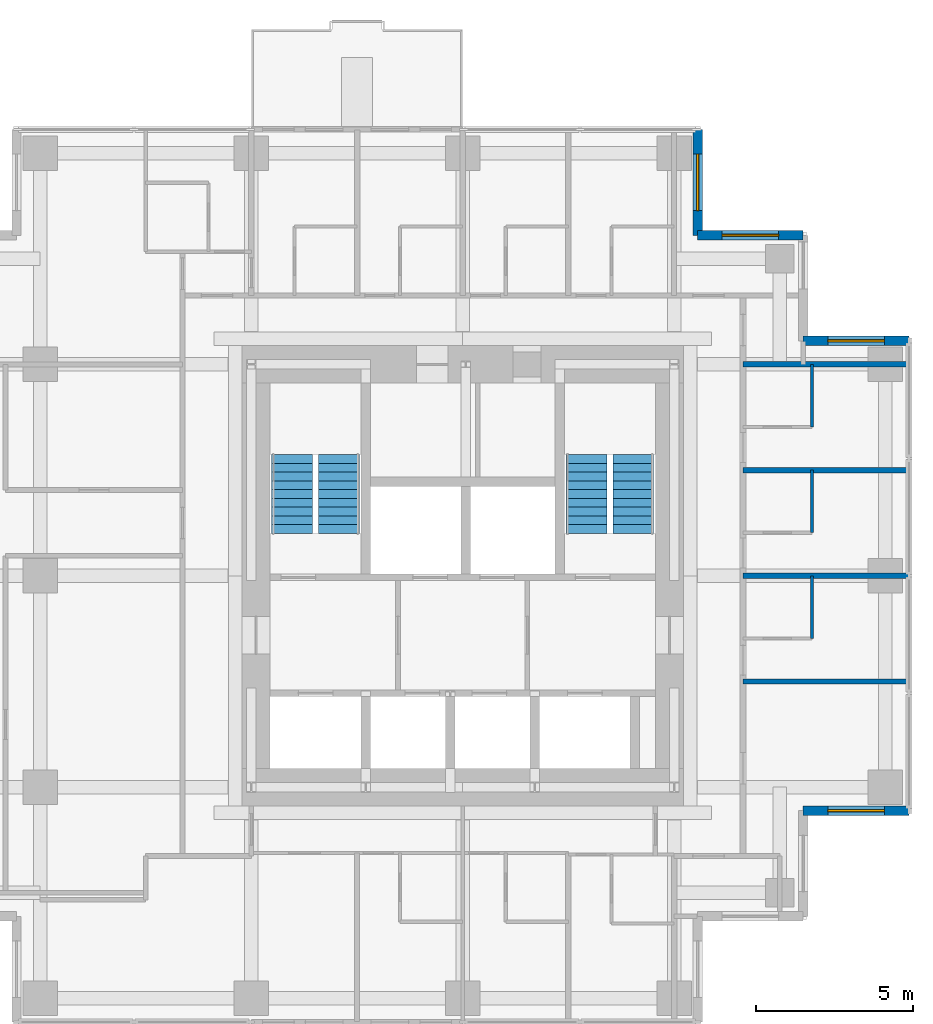
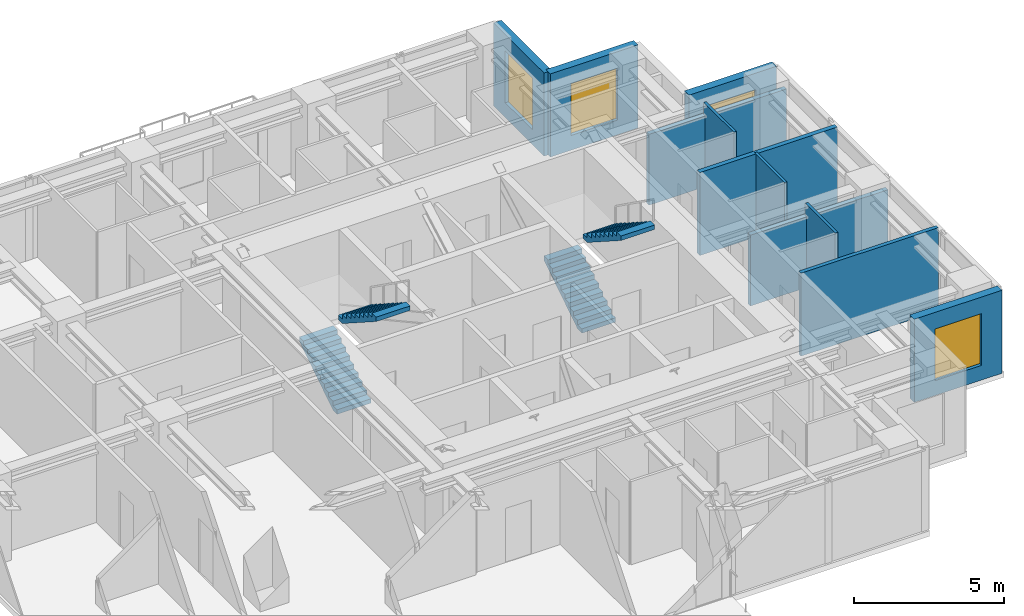
# One storey, part 7 of 8: 11 walls, 4 stair flights, 4 windows, 4 openings, 2 elements without a shape of their own.
"""IFC4 building model written with IfcOpenShell, lengths in metres."""

from ifc_helpers import new_model, si_unit, direction, frame, frame_2d, origin, place, context, subcontext, project, spatial, polyline, rectangle, outline, extrude, material, layer, layer_set, type_object, element, fill, aggregate, save


model = new_model("IFC4")

# Units and contexts
model_context = context("Model", 3, precision=1e-05, world=origin(), true_north=direction((0.0, 1.0)))
body_context = subcontext(model_context, "Body", "Model", "MODEL_VIEW")
ifc_project = project(units=[si_unit("LENGTHUNIT", "METRE"), si_unit("AREAUNIT", "SQUARE_METRE"), si_unit("VOLUMEUNIT", "CUBIC_METRE"), si_unit("PLANEANGLEUNIT", "RADIAN"), si_unit("MASSUNIT", "GRAM", prefix="KILO")], contexts=[model_context])

# Site, building, storey
site_placement = place(None, origin())
site = spatial("IfcSite", under=ifc_project, at=site_placement, CompositionType="ELEMENT")
building_placement = place(site_placement, origin())
building = spatial("IfcBuilding", under=site, at=building_placement, Name="Nyansa Garden Tower", CompositionType="ELEMENT")
storey_placement = place(building_placement, frame((0.0, 0.0, 211.5)))
storey = spatial("IfcBuildingStorey", under=building, at=storey_placement, Name="L57", CompositionType="ELEMENT", Elevation=211.5)

# Walls
ifc_material_1 = material(Name="Dense blockwork, plastered both sides, 55 dB", Category="masonry")
ifc_layer_1 = layer(ifc_material_1, 0.175048828125)
ifc_layer_set_1 = layer_set([ifc_layer_1], Name="Acoustic party wall PW175")
wall_type_1 = type_object("IfcWallType", Name="Acoustic party wall PW175", PredefinedType="PARTITIONING", material=ifc_layer_set_1)
wall_1_placement = place(storey_placement, frame((29.199951171875, 20.25, 0.0), z_axis=(0.0, 0.0, 1.0), x_axis=(1.0, 0.0, 0.0)))
element("IfcWall", 1, at=wall_1_placement, inside=storey, type_object=wall_type_1, Name="Party wall", PredefinedType="PARTITIONING", context=body_context, shape_type="SweptSolid", body=[
    extrude(rectangle(XDim=5.283935546875, YDim=0.175048828125, at=frame_2d((2.64208984375, 0.0))), origin(), (0.0, 0.0, 1.0), 2.876953125),
])
wall_2_placement = place(storey_placement, frame((29.199951171875, 23.625, 0.0), z_axis=(0.0, 0.0, 1.0), x_axis=(1.0, 0.0, 0.0)))
element("IfcWall", 2, at=wall_2_placement, inside=storey, type_object=wall_type_1, Name="Party wall", PredefinedType="PARTITIONING", context=body_context, shape_type="SweptSolid", body=[
    extrude(rectangle(XDim=5.283935546875, YDim=0.175048828125, at=frame_2d((2.64208984375, 0.0))), origin(), (0.0, 0.0, 1.0), 3.375),
])
wall_3_placement = place(storey_placement, frame((29.199951171875, 27.0, 0.0), z_axis=(0.0, 0.0, 1.0), x_axis=(1.0, 0.0, 0.0)))
element("IfcWall", 3, at=wall_3_placement, inside=storey, type_object=wall_type_1, Name="Party wall", PredefinedType="PARTITIONING", context=body_context, shape_type="SweptSolid", body=[
    extrude(rectangle(XDim=5.283935546875, YDim=0.175048828125, at=frame_2d((2.64208984375, 0.0))), origin(), (0.0, 0.0, 1.0), 2.876953125),
])
ifc_material_2 = material(Name="Blockwork, plastered both sides", Category="masonry")
ifc_layer_2 = layer(ifc_material_2, 0.14990234375)
ifc_layer_set_2 = layer_set([ifc_layer_2], Name="Partition PW150")
wall_type_2 = type_object("IfcWallType", Name="Partition PW150", PredefinedType="PARTITIONING", material=ifc_layer_set_2)
wall_4_placement = place(storey_placement, frame((29.199951171875, 16.875, 0.0), z_axis=(0.0, 0.0, 1.0), x_axis=(1.0, 0.0, 0.0)))
element("IfcWall", 4, at=wall_4_placement, inside=storey, type_object=wall_type_2, Name="Partition", PredefinedType="PARTITIONING", context=body_context, shape_type="SweptSolid", body=[
    extrude(rectangle(XDim=5.283935546875, YDim=0.14990234375, at=frame_2d((2.64208984375, 0.0))), origin(), (0.0, 0.0, 1.0), 3.375),
])

# Wall, opening, window
ifc_material_3 = material(Name="Turquoise glazed tile on concrete blockwork", Category="masonry")
ifc_layer_3 = layer(ifc_material_3, 0.300048828125)
ifc_layer_set_3 = layer_set([ifc_layer_3], Name="Tiled corner wall TW300")
wall_type_3 = type_object("IfcWallType", Name="Tiled corner wall TW300", PredefinedType="SOLIDWALL", material=ifc_layer_set_3)
wall_5_placement = place(storey_placement, frame((34.5, 27.75, 0.0), z_axis=(0.0, 0.0, 1.0), x_axis=(-1.0, 0.0, 0.0)))
wall_5 = element("IfcWall", 5, at=wall_5_placement, inside=storey, type_object=wall_type_3, Name="Tiled corner wall L57", PredefinedType="SOLIDWALL", context=body_context, shape_type="SweptSolid", body=[
    extrude(rectangle(XDim=3.375, YDim=0.300048828125, at=frame_2d((1.6875, 0.0))), origin(), (0.0, 0.0, 1.0), 3.375),
])
opening_1_placement = place(wall_5_placement, frame((0.78759765625, 0.0, 0.60009765625)))
opening_1 = element("IfcOpeningElement", 6, at=opening_1_placement, cuts=wall_5, Name="Opening W2", PredefinedType="OPENING", context=body_context, shape_type="SweptSolid", body=[
    extrude(rectangle(XDim=1.800048828125, YDim=2.10009765625, at=frame_2d((0.89990234375, 1.050048828125))), frame((0.0, 0.159912109375, 0.0), z_axis=(0.0, -1.0, 0.0), x_axis=(1.0, 0.0, 0.0)), (0.0, 0.0, 1.0), 0.320068359375),
])
ifc_material_4 = material(Name="Black aluminium frame, dark tinted double glazing", Category="aluminium")
window_type = type_object("IfcWindowType", Name="Window W2 1800x2100", PartitioningType="SINGLE_PANEL", PredefinedType="WINDOW", material=ifc_material_4)
window_1_placement = place(opening_1_placement, origin())
window_1 = element("IfcWindow", 7, at=window_1_placement, inside=storey, type_object=window_type, Name="Corner window L57", OverallHeight=2.10009765625, OverallWidth=1.800048828125, PartitioningType="SINGLE_PANEL", PredefinedType="WINDOW", context=body_context, shape_type="SweptSolid", body=[
    extrude(rectangle(XDim=1.800048828125, YDim=2.10009765625, at=frame_2d((0.89990234375, 1.050048828125))), frame((0.0, 0.030029296875, 0.0), z_axis=(0.0, -1.0, 0.0), x_axis=(1.0, 0.0, 0.0)), (0.0, 0.0, 1.0), 0.06005859375),
])
fill(opening_1, window_1)

wall_6_placement = place(storey_placement, frame((31.125, 31.125, 0.0), z_axis=(0.0, 0.0, 1.0), x_axis=(-1.0, 0.0, 0.0)))
wall_6 = element("IfcWall", 8, at=wall_6_placement, inside=storey, type_object=wall_type_3, Name="Tiled corner wall L57", PredefinedType="SOLIDWALL", context=body_context, shape_type="SweptSolid", body=[
    extrude(rectangle(XDim=3.375, YDim=0.300048828125, at=frame_2d((1.6875, 0.0))), origin(), (0.0, 0.0, 1.0), 3.375),
])
opening_2_placement = place(wall_6_placement, frame((0.78759765625, 0.0, 0.60009765625)))
opening_2 = element("IfcOpeningElement", 9, at=opening_2_placement, cuts=wall_6, Name="Opening W2", PredefinedType="OPENING", context=body_context, shape_type="SweptSolid", body=[
    extrude(rectangle(XDim=1.800048828125, YDim=2.10009765625, at=frame_2d((0.89990234375, 1.050048828125))), frame((0.0, 0.159912109375, 0.0), z_axis=(0.0, -1.0, 0.0), x_axis=(1.0, 0.0, 0.0)), (0.0, 0.0, 1.0), 0.320068359375),
])
window_2_placement = place(opening_2_placement, origin())
window_2 = element("IfcWindow", 10, at=window_2_placement, inside=storey, type_object=window_type, Name="Corner window L57", OverallHeight=2.10009765625, OverallWidth=1.800048828125, PartitioningType="SINGLE_PANEL", PredefinedType="WINDOW", context=body_context, shape_type="SweptSolid", body=[
    extrude(rectangle(XDim=1.800048828125, YDim=2.10009765625, at=frame_2d((0.89990234375, 1.050048828125))), frame((0.0, 0.030029296875, 0.0), z_axis=(0.0, -1.0, 0.0), x_axis=(1.0, 0.0, 0.0)), (0.0, 0.0, 1.0), 0.06005859375),
])
fill(opening_2, window_2)

wall_7_placement = place(storey_placement, frame((27.75, 31.125, 0.0), z_axis=(0.0, 0.0, 1.0), x_axis=(0.0, 1.0, 0.0)))
wall_7 = element("IfcWall", 11, at=wall_7_placement, inside=storey, type_object=wall_type_3, Name="Tiled corner wall L57", PredefinedType="SOLIDWALL", context=body_context, shape_type="SweptSolid", body=[
    extrude(rectangle(XDim=3.375, YDim=0.300048828125, at=frame_2d((1.6875, 0.0))), origin(), (0.0, 0.0, 1.0), 3.375),
])
opening_3_placement = place(wall_7_placement, frame((0.78759765625, 0.0, 0.60009765625)))
opening_3 = element("IfcOpeningElement", 12, at=opening_3_placement, cuts=wall_7, Name="Opening W2", PredefinedType="OPENING", context=body_context, shape_type="SweptSolid", body=[
    extrude(rectangle(XDim=1.800048828125, YDim=2.10009765625, at=frame_2d((0.89990234375, 1.050048828125))), frame((0.0, 0.159912109375, 0.0), z_axis=(0.0, -1.0, 0.0), x_axis=(1.0, 0.0, 0.0)), (0.0, 0.0, 1.0), 0.320068359375),
])
window_3_placement = place(opening_3_placement, origin())
window_3 = element("IfcWindow", 13, at=window_3_placement, inside=storey, type_object=window_type, Name="Corner window L57", OverallHeight=2.10009765625, OverallWidth=1.800048828125, PartitioningType="SINGLE_PANEL", PredefinedType="WINDOW", context=body_context, shape_type="SweptSolid", body=[
    extrude(rectangle(XDim=1.800048828125, YDim=2.10009765625, at=frame_2d((0.89990234375, 1.050048828125))), frame((0.0, 0.030029296875, 0.0), z_axis=(0.0, -1.0, 0.0), x_axis=(1.0, 0.0, 0.0)), (0.0, 0.0, 1.0), 0.06005859375),
])
fill(opening_3, window_3)

wall_8_placement = place(storey_placement, frame((31.125, 12.75, 0.0), z_axis=(0.0, 0.0, 1.0), x_axis=(1.0, 0.0, 0.0)))
wall_8 = element("IfcWall", 14, at=wall_8_placement, inside=storey, type_object=wall_type_3, Name="Tiled corner wall L57", PredefinedType="SOLIDWALL", context=body_context, shape_type="SweptSolid", body=[
    extrude(rectangle(XDim=3.375, YDim=0.300048828125, at=frame_2d((1.6875, 0.0))), origin(), (0.0, 0.0, 1.0), 3.375),
])
opening_4_placement = place(wall_8_placement, frame((0.78759765625, 0.0, 0.60009765625)))
opening_4 = element("IfcOpeningElement", 15, at=opening_4_placement, cuts=wall_8, Name="Opening W2", PredefinedType="OPENING", context=body_context, shape_type="SweptSolid", body=[
    extrude(rectangle(XDim=1.800048828125, YDim=2.10009765625, at=frame_2d((0.89990234375, 1.050048828125))), frame((0.0, 0.159912109375, 0.0), z_axis=(0.0, -1.0, 0.0), x_axis=(1.0, 0.0, 0.0)), (0.0, 0.0, 1.0), 0.320068359375),
])
window_4_placement = place(opening_4_placement, origin())
window_4 = element("IfcWindow", 16, at=window_4_placement, inside=storey, type_object=window_type, Name="Corner window L57", OverallHeight=2.10009765625, OverallWidth=1.800048828125, PartitioningType="SINGLE_PANEL", PredefinedType="WINDOW", context=body_context, shape_type="SweptSolid", body=[
    extrude(rectangle(XDim=1.800048828125, YDim=2.10009765625, at=frame_2d((0.89990234375, 1.050048828125))), frame((0.0, 0.030029296875, 0.0), z_axis=(0.0, -1.0, 0.0), x_axis=(1.0, 0.0, 0.0)), (0.0, 0.0, 1.0), 0.06005859375),
])
fill(opening_4, window_4)

# Walls
ifc_material_5 = material(Name="Moisture resistant board on steel studs, tiled", Category="steel")
ifc_layer_4 = layer(ifc_material_5, 0.10009765625)
ifc_layer_set_4 = layer_set([ifc_layer_4], Name="Wet wall PW100")
wall_type_4 = type_object("IfcWallType", Name="Wet wall PW100", PredefinedType="PARTITIONING", material=ifc_layer_set_4)
for number, where, z_axis, x_axis, name in (
    (17, (31.39990234375, 18.25, 0.0), (0.0, 0.0, 1.0), (0.0, 1.0, 0.0), "Wet wall"),
    (18, (31.39990234375, 21.625, 0.0), (0.0, 0.0, 1.0), (0.0, 1.0, 0.0), "Wet wall"),
    (19, (31.39990234375, 25.0, 0.0), (0.0, 0.0, 1.0), (0.0, 1.0, 0.0), "Wet wall"),
):
    element("IfcWall", number, at=place(storey_placement, frame(where, z_axis=z_axis, x_axis=x_axis)), inside=storey, type_object=wall_type_4, Name=name, PredefinedType="PARTITIONING", context=body_context, shape_type="SweptSolid", body=[
        extrude(rectangle(XDim=2.0, YDim=0.10009765625, at=frame_2d((1.0, 0.0))), origin(), (0.0, 0.0, 1.0), 3.375),
    ])

# Stair, stair flights
ifc_material_6 = material(Name="Precast concrete C40/50", Category="concrete")
stair_type_1 = type_object("IfcStairType", Name="Stair S1 180x280", PredefinedType="HALF_TURN_STAIR", material=ifc_material_6)
stair_1_placement = place(storey_placement, origin())
stair_1 = element("IfcStair", 20, at=stair_1_placement, inside=storey, type_object=stair_type_1, Name="Stair S1 L57", PredefinedType="HALF_TURN_STAIR")
ifc_material_7 = material(Name="Precast concrete C40/50", Category="concrete")
stair_flight_type_1 = type_object("IfcStairFlightType", Name="Stair flight S1 180x280x10", PredefinedType="STRAIGHT", material=ifc_material_7)
stair_flight_1_placement = place(storey_placement, frame((14.800048828125, 21.60009765625, 0.0), z_axis=(0.0, 0.0, 1.0), x_axis=(0.0, 1.0, 0.0)))
stair_flight_1 = element("IfcStairFlight", 21, at=stair_flight_1_placement, type_object=stair_flight_type_1, Name="S1 flight 1", NumberOfRisers=10, NumberOfTreads=9, PredefinedType="STRAIGHT", RiserHeight=0.18, TreadLength=0.28, context=body_context, shape_type="SweptSolid", body=[
    extrude(outline(polyline([(0.0, 0.0), (0.0, 0.179931640625), (0.280029296875, 0.179931640625), (0.280029296875, 0.360107421875), (0.56005859375, 0.360107421875), (0.56005859375, 0.5400390625), (0.840087890625, 0.5400390625), (0.840087890625, 0.719970703125), (1.1201171875, 0.719970703125), (1.1201171875, 0.89990234375), (1.39990234375, 0.89990234375), (1.39990234375, 1.080078125), (1.679931640625, 1.080078125), (1.679931640625, 1.260009765625), (1.9599609375, 1.260009765625), (1.9599609375, 1.43994140625), (2.239990234375, 1.43994140625), (2.239990234375, 1.6201171875), (2.52001953125, 1.6201171875), (2.52001953125, 1.800048828125), (2.52001953125, 1.44189453125), (0.277099609375, 0.0), (0.0, 0.0)])), frame((0.0, 0.64990234375, 0.0), z_axis=(0.0, -1.0, 0.0), x_axis=(1.0, 0.0, 0.0)), (0.0, 0.0, 1.0), 1.300048828125),
])
stair_flight_2_placement = place(storey_placement, frame((16.300048828125, 24.1201171875, 1.800048828125), z_axis=(0.0, 0.0, 1.0), x_axis=(0.0, -1.0, 0.0)))
stair_flight_2 = element("IfcStairFlight", 22, at=stair_flight_2_placement, type_object=stair_flight_type_1, Name="S1 flight 2", NumberOfRisers=10, NumberOfTreads=9, PredefinedType="STRAIGHT", RiserHeight=0.18, TreadLength=0.28, context=body_context, shape_type="SweptSolid", body=[
    extrude(outline(polyline([(0.0, 0.0), (0.0, 0.179931640625), (0.280029296875, 0.179931640625), (0.280029296875, 0.360107421875), (0.56005859375, 0.360107421875), (0.56005859375, 0.5400390625), (0.840087890625, 0.5400390625), (0.840087890625, 0.719970703125), (1.1201171875, 0.719970703125), (1.1201171875, 0.89990234375), (1.39990234375, 0.89990234375), (1.39990234375, 1.080078125), (1.679931640625, 1.080078125), (1.679931640625, 1.260009765625), (1.9599609375, 1.260009765625), (1.9599609375, 1.43994140625), (2.239990234375, 1.43994140625), (2.239990234375, 1.6201171875), (2.52001953125, 1.6201171875), (2.52001953125, 1.800048828125), (2.52001953125, 1.44189453125), (0.277099609375, 0.0), (0.0, 0.0)])), frame((0.0, 0.64990234375, 0.0), z_axis=(0.0, -1.0, 0.0), x_axis=(1.0, 0.0, 0.0)), (0.0, 0.0, 1.0), 1.300048828125),
])
aggregate(stair_1, [stair_flight_1, stair_flight_2])

ifc_material_8 = material(Name="Precast concrete C40/50", Category="concrete")
stair_type_2 = type_object("IfcStairType", Name="Stair S2 180x280", PredefinedType="HALF_TURN_STAIR", material=ifc_material_8)
stair_2_placement = place(storey_placement, origin())
stair_2 = element("IfcStair", 23, at=stair_2_placement, inside=storey, type_object=stair_type_2, Name="Stair S2 L57", PredefinedType="HALF_TURN_STAIR")
ifc_material_9 = material(Name="Precast concrete C40/50", Category="concrete")
stair_flight_type_2 = type_object("IfcStairFlightType", Name="Stair flight S2 180x280x10", PredefinedType="STRAIGHT", material=ifc_material_9)
stair_flight_3_placement = place(storey_placement, frame((24.199951171875, 21.60009765625, 0.0), z_axis=(0.0, 0.0, 1.0), x_axis=(0.0, 1.0, 0.0)))
stair_flight_3 = element("IfcStairFlight", 24, at=stair_flight_3_placement, type_object=stair_flight_type_2, Name="S2 flight 1", NumberOfRisers=10, NumberOfTreads=9, PredefinedType="STRAIGHT", RiserHeight=0.18, TreadLength=0.28, context=body_context, shape_type="SweptSolid", body=[
    extrude(outline(polyline([(0.0, 0.0), (0.0, 0.179931640625), (0.280029296875, 0.179931640625), (0.280029296875, 0.360107421875), (0.56005859375, 0.360107421875), (0.56005859375, 0.5400390625), (0.840087890625, 0.5400390625), (0.840087890625, 0.719970703125), (1.1201171875, 0.719970703125), (1.1201171875, 0.89990234375), (1.39990234375, 0.89990234375), (1.39990234375, 1.080078125), (1.679931640625, 1.080078125), (1.679931640625, 1.260009765625), (1.9599609375, 1.260009765625), (1.9599609375, 1.43994140625), (2.239990234375, 1.43994140625), (2.239990234375, 1.6201171875), (2.52001953125, 1.6201171875), (2.52001953125, 1.800048828125), (2.52001953125, 1.44189453125), (0.277099609375, 0.0), (0.0, 0.0)])), frame((0.0, 0.64990234375, 0.0), z_axis=(0.0, -1.0, 0.0), x_axis=(1.0, 0.0, 0.0)), (0.0, 0.0, 1.0), 1.300048828125),
])
stair_flight_4_placement = place(storey_placement, frame((25.699951171875, 24.1201171875, 1.800048828125), z_axis=(0.0, 0.0, 1.0), x_axis=(0.0, -1.0, 0.0)))
stair_flight_4 = element("IfcStairFlight", 25, at=stair_flight_4_placement, type_object=stair_flight_type_2, Name="S2 flight 2", NumberOfRisers=10, NumberOfTreads=9, PredefinedType="STRAIGHT", RiserHeight=0.18, TreadLength=0.28, context=body_context, shape_type="SweptSolid", body=[
    extrude(outline(polyline([(0.0, 0.0), (0.0, 0.179931640625), (0.280029296875, 0.179931640625), (0.280029296875, 0.360107421875), (0.56005859375, 0.360107421875), (0.56005859375, 0.5400390625), (0.840087890625, 0.5400390625), (0.840087890625, 0.719970703125), (1.1201171875, 0.719970703125), (1.1201171875, 0.89990234375), (1.39990234375, 0.89990234375), (1.39990234375, 1.080078125), (1.679931640625, 1.080078125), (1.679931640625, 1.260009765625), (1.9599609375, 1.260009765625), (1.9599609375, 1.43994140625), (2.239990234375, 1.43994140625), (2.239990234375, 1.6201171875), (2.52001953125, 1.6201171875), (2.52001953125, 1.800048828125), (2.52001953125, 1.44189453125), (0.277099609375, 0.0), (0.0, 0.0)])), frame((0.0, 0.64990234375, 0.0), z_axis=(0.0, -1.0, 0.0), x_axis=(1.0, 0.0, 0.0)), (0.0, 0.0, 1.0), 1.300048828125),
])
aggregate(stair_2, [stair_flight_3, stair_flight_4])

save(model, "model.ifc")
